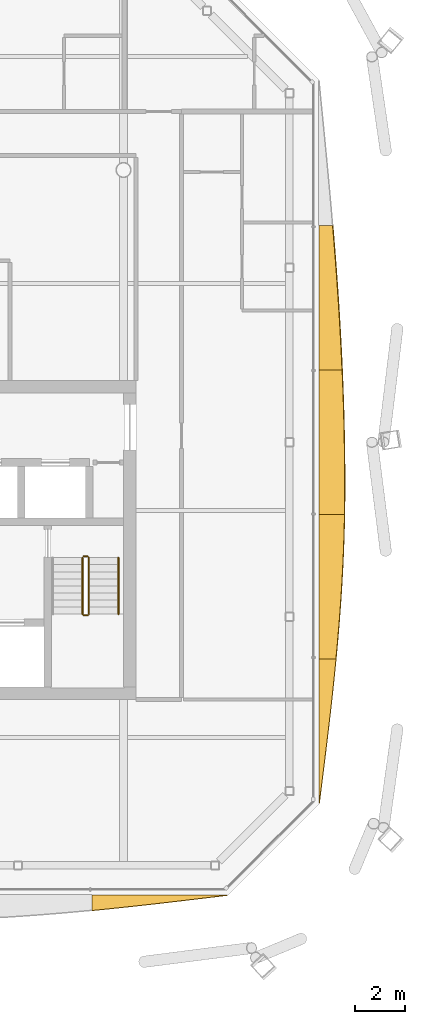
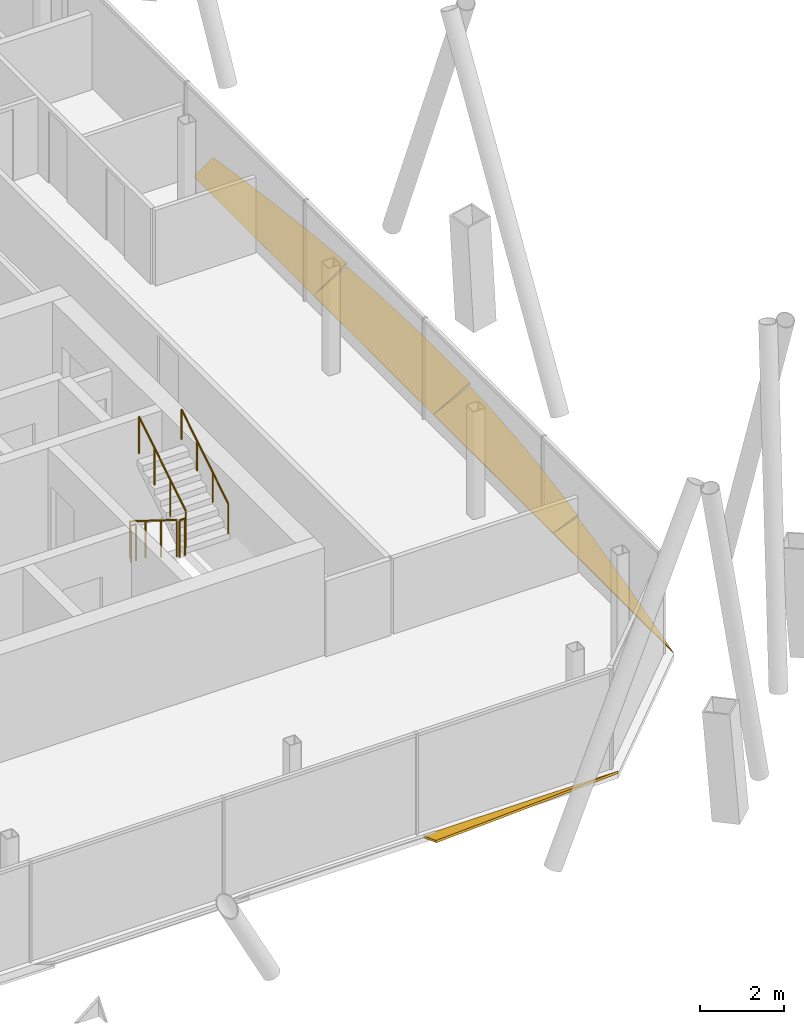
# One storey, part 19 of 20: 5 railings, 5 shading devices.
"""IFC4 building model written with IfcOpenShell, lengths in metres."""

from ifc_helpers import new_model, si_unit, direction, frame, origin, origin_2d, place, context, subcontext, project, spatial, polyline, circle, outline, extrude, material, layer, layer_set, type_object, element, save


model = new_model("IFC4")

# Units and contexts
model_context = context("Model", 3, precision=1e-05, world=origin(), true_north=direction((0.0, 1.0)))
body_context = subcontext(model_context, "Body", "Model", "MODEL_VIEW")
ifc_project = project(units=[si_unit("LENGTHUNIT", "METRE"), si_unit("AREAUNIT", "SQUARE_METRE"), si_unit("VOLUMEUNIT", "CUBIC_METRE"), si_unit("PLANEANGLEUNIT", "RADIAN"), si_unit("MASSUNIT", "GRAM", prefix="KILO")], contexts=[model_context])

# Site, building, storey
site_placement = place(None, origin())
site = spatial("IfcSite", under=ifc_project, at=site_placement, CompositionType="ELEMENT")
building_placement = place(site_placement, origin())
building = spatial("IfcBuilding", under=site, at=building_placement, Name="Tskaro Facet Tower", CompositionType="ELEMENT")
storey_placement = place(building_placement, frame((0.0, 0.0, 200.550048828125)))
storey = spatial("IfcBuildingStorey", under=building, at=storey_placement, Name="L51", CompositionType="ELEMENT", Elevation=200.550048828125)

# Shading devices
ifc_material_1 = material(Name="Bronze anodised aluminium 6063-T6", Category="aluminium")
ifc_layer = layer(ifc_material_1, 0.06005859375, Name="Bronze anodised aluminium 6063-T6")
ifc_layer_set = layer_set([ifc_layer], Name="Bronze anodised aluminium 6063-T6")
shading_device_type = type_object("IfcShadingDeviceType", Name="Bronze sun blade (FN1)", PredefinedType="USERDEFINED", material=ifc_layer_set)
shading_device_1_placement = place(storey_placement, frame((7.75341796875, -19.762451171875, 0.056396484375), z_axis=(6.175963e-06, 0.341941196969, 0.939721351134), x_axis=(0.999999999981, -2.111816e-06, -5.803684e-06)))
element("IfcShadingDevice", 1, at=shading_device_1_placement, inside=storey, type_object=shading_device_type, Name="Fin blade south 6", ObjectType="FIN", PredefinedType="USERDEFINED", context=body_context, shape_type="SweptSolid", body=[
    extrude(outline(polyline([(0.0, 0.0), (5.376464843647464, 0.0), (4.70458984338615, -0.08627011069738855), (4.0324707034011755, -0.1722273154992381), (3.36035156315655, -0.25664101187802535), (2.6882324217509392, -0.33982410572928945), (2.016113281372768, -0.4206084552084171), (1.3439941400895405, -0.49884811789495537), (0.6721191403289226, -0.5739172819978262), (-1.9023678262600406e-10, -0.6453570992010375), (0.0, 0.0)])), origin(), (0.0, 0.0, -1.0), 0.06005859375),
])
shading_device_2_placement = place(storey_placement, frame((16.762451171875, -16.1298828125, 0.056396484375), z_axis=(-0.341832420336, -1.4109499e-05, 0.939760925027), x_axis=(-4.823084e-06, 0.9999999999, 1.3259556e-05)))
element("IfcShadingDevice", 2, at=shading_device_2_placement, inside=storey, type_object=shading_device_type, Name="Fin blade east 1", ObjectType="FIN", PredefinedType="USERDEFINED", context=body_context, shape_type="SweptSolid", body=[
    extrude(outline(polyline([(0.0, 0.0), (5.734374999429207, -4.8572045569113785e-21), (5.7343750005381375, -0.7089958882036616), (5.0175781251223235, -0.6333843975373075), (4.300781250596352, -0.5526000442134811), (3.58398437342769, -0.4673311296910109), (2.8671875009729058, -0.3782868871513797), (2.1503906241072475, -0.2865310305118805), (1.4335937493051085, -0.19223047013402236), (0.7167968739161307, -0.09661583029660752), (0.0, 0.0)])), origin(), (0.0, 0.0, -1.0), 0.06005859375),
])
shading_device_3_placement = place(storey_placement, frame((16.757568359375, -10.3955078125, 0.054443359375), z_axis=(-0.422499746334, -4.944532e-06, 0.906363042231), x_axis=(-2.089063e-06, 0.999999999988, 4.481541e-06)))
element("IfcShadingDevice", 3, at=shading_device_3_placement, inside=storey, type_object=shading_device_type, Name="Fin blade east 2", ObjectType="FIN", PredefinedType="USERDEFINED", context=body_context, shape_type="SweptSolid", body=[
    extrude(outline(polyline([(0.0, 0.0), (5.7346191405549, 1.2143528380161292e-21), (5.734619140705405, -1.1111363675442192), (5.01782226589387, -1.092567265542853), (4.301025390407151, -1.0650455326002188), (3.5842285154134483, -1.0292200274998038), (2.867431640402735, -0.985312030281218), (2.1506347653750137, -0.9333215409444614), (1.43383789098846, -0.8741186983126312), (0.7170410156389219, -0.8078216330732039), (-1.3039516218631387e-10, -0.7350792040096665), (0.0, 0.0)])), origin(), (0.0, 0.0, -1.0), 0.06005859375),
])
shading_device_4_placement = place(storey_placement, frame((16.7529296875, -4.660888671875, 0.052001953125), z_axis=(-0.49992179843, 7.192554e-06, 0.866070548744), x_axis=(3.595715e-06, 0.999999999974, -6.229259e-06)))
element("IfcShadingDevice", 4, at=shading_device_4_placement, inside=storey, type_object=shading_device_type, Name="Fin blade east 3", ObjectType="FIN", PredefinedType="USERDEFINED", context=body_context, shape_type="SweptSolid", body=[
    extrude(outline(polyline([(0.0, 0.0), (5.734619140476666, 2.4287056760322584e-21), (5.734619141234332, -1.0584534784780137), (5.017822265547057, -1.0914917930531747), (4.301025390787268, -1.1193815701135217), (3.5842285151992477, -1.1416999236489143), (2.8674316403038107, -1.1583248024390298), (2.150634765223096, -1.169044763478798), (1.4338378901920095, -1.1744047439986822), (1.1469726560593347, -1.1749496812291453), (0.7167968756365627, -1.173192818317433), (1.1140375239837607e-10, -1.1628063515030578), (0.0, 0.0)])), origin(), (0.0, 0.0, -1.0), 0.06005859375),
])
shading_device_5_placement = place(storey_placement, frame((16.74853515625, 1.07373046875, 0.049072265625), z_axis=(-0.573601319242, -1.6893242e-05, 0.819134620364), x_axis=(-9.689986e-06, 0.999999999857, 1.383784e-05)))
element("IfcShadingDevice", 5, at=shading_device_5_placement, inside=storey, type_object=shading_device_type, Name="Fin blade east 4", ObjectType="FIN", PredefinedType="USERDEFINED", context=body_context, shape_type="SweptSolid", body=[
    extrude(outline(polyline([(0.0, 0.0), (5.734619139806723, 0.0), (5.73461914162943, -0.6608457769813199), (5.01782226517367, -0.7329085702240059), (4.301025390079511, -0.8014512399314483), (3.5842285143216333, -0.8657937392580393), (2.867431641278415, -0.9260761075883793), (2.1506347665588192, -0.9818182821150643), (1.4338378891501855, -1.03268023941529), (0.7167968741716471, -1.0786020348354541), (-1.517904082291418e-09, -1.119103605568152), (0.0, 0.0)])), origin(), (0.0, 0.0, -1.0), 0.06005859375),
])

# Railings
ifc_material_2 = material(Name="Stainless steel", Category="steel")
railing_type_1 = type_object("IfcRailingType", Name="RL-GUARD-1100", PredefinedType="GUARDRAIL", material=ifc_material_2)
railing_1_placement = place(storey_placement, frame((7.375, -6.375, 0.175048828125)))
element("IfcRailing", 6, at=railing_1_placement, inside=storey, type_object=railing_type_1, Name="L51 ST-2 stair guard 1", PredefinedType="GUARDRAIL", context=body_context, shape_type="SweptSolid", body=[
    extrude(circle(Radius=0.02392578125, at=origin_2d()), frame((0.0, 0.0, 1.076171875), z_axis=(0.0, -0.848013881152, 0.529974015752), x_axis=(1.0, 0.0, 0.0)), (0.0, 0.0, 1.0), 2.641357421875),
    extrude(circle(Radius=0.02099609375, at=origin_2d()), origin(), (0.0, 0.0, 1.0), 1.052001953125),
    extrude(circle(Radius=0.02099609375, at=origin_2d()), frame((0.0, -0.74658203125, 0.466552734375)), (0.0, 0.0, 1.0), 1.052001953125),
    extrude(circle(Radius=0.02099609375, at=origin_2d()), frame((0.0, -1.493408203125, 0.933349609375)), (0.0, 0.0, 1.0), 1.052001953125),
    extrude(circle(Radius=0.02099609375, at=origin_2d()), frame((0.0, -2.239990234375, 1.39990234375)), (0.0, 0.0, 1.0), 1.052001953125),
])
railing_2_placement = place(storey_placement, frame((7.425048828125, -8.6650390625, 1.574951171875)))
element("IfcRailing", 7, at=railing_2_placement, inside=storey, type_object=railing_type_1, Name="L51 ST-2 stair guard 2", PredefinedType="GUARDRAIL", context=body_context, shape_type="SweptSolid", body=[
    extrude(circle(Radius=0.02392578125, at=origin_2d()), frame((0.0, 0.0, 1.076171875), z_axis=(1.0, 0.0, 0.0), x_axis=(0.0, 1.0, 0.0)), (0.0, 0.0, 1.0), 0.14990234375),
    extrude(circle(Radius=0.02099609375, at=origin_2d()), origin(), (0.0, 0.0, 1.0), 1.052001953125),
    extrude(circle(Radius=0.02099609375, at=origin_2d()), frame((0.14990234375, 0.0, 0.0)), (0.0, 0.0, 1.0), 1.052001953125),
])
railing_3_placement = place(storey_placement, frame((7.625, -8.614990234375, 1.75)))
element("IfcRailing", 8, at=railing_3_placement, inside=storey, type_object=railing_type_1, Name="L51 ST-2 stair guard 3", PredefinedType="GUARDRAIL", context=body_context, shape_type="SweptSolid", body=[
    extrude(circle(Radius=0.02392578125, at=origin_2d()), frame((0.0, 0.0, 1.076171875), z_axis=(0.0, 0.848013881152, 0.529974015752), x_axis=(-1.0, 0.0, 0.0)), (0.0, 0.0, 1.0), 2.641357421875),
    extrude(circle(Radius=0.02099609375, at=origin_2d()), origin(), (0.0, 0.0, 1.0), 1.052001953125),
    extrude(circle(Radius=0.02099609375, at=origin_2d()), frame((0.0, 0.74658203125, 0.466552734375)), (0.0, 0.0, 1.0), 1.052001953125),
    extrude(circle(Radius=0.02099609375, at=origin_2d()), frame((0.0, 1.493408203125, 0.933349609375)), (0.0, 0.0, 1.0), 1.052001953125),
    extrude(circle(Radius=0.02099609375, at=origin_2d()), frame((0.0, 2.239990234375, 1.39990234375)), (0.0, 0.0, 1.0), 1.052001953125),
])
railing_4_placement = place(storey_placement, frame((7.425048828125, -6.324951171875, 0.0)))
element("IfcRailing", 9, at=railing_4_placement, inside=storey, type_object=railing_type_1, Name="L51 ST-2 stair guard 4", PredefinedType="GUARDRAIL", context=body_context, shape_type="SweptSolid", body=[
    extrude(circle(Radius=0.02392578125, at=origin_2d()), frame((0.0, 0.0, 1.076171875), z_axis=(1.0, 0.0, 0.0), x_axis=(0.0, 1.0, 0.0)), (0.0, 0.0, 1.0), 0.14990234375),
    extrude(circle(Radius=0.02099609375, at=origin_2d()), origin(), (0.0, 0.0, 1.0), 1.052001953125),
    extrude(circle(Radius=0.02099609375, at=origin_2d()), frame((0.14990234375, 0.0, 0.0)), (0.0, 0.0, 1.0), 1.052001953125),
])
railing_type_2 = type_object("IfcRailingType", Name="RL-HANDRAIL-900", PredefinedType="HANDRAIL", material=ifc_material_2)
railing_5_placement = place(storey_placement, frame((8.800048828125, -8.614990234375, 1.75)))
element("IfcRailing", 10, at=railing_5_placement, inside=storey, type_object=railing_type_2, Name="L51 ST-2 stair handrail 2", PredefinedType="HANDRAIL", context=body_context, shape_type="SweptSolid", body=[
    extrude(circle(Radius=0.02392578125, at=origin_2d()), frame((0.0, 0.0, 0.8759765625), z_axis=(0.0, 0.848013881152, 0.529974015752), x_axis=(-1.0, 0.0, 0.0)), (0.0, 0.0, 1.0), 2.641357421875),
    extrude(circle(Radius=0.02099609375, at=origin_2d()), origin(), (0.0, 0.0, 1.0), 0.851806640625),
    extrude(circle(Radius=0.02099609375, at=origin_2d()), frame((0.0, 0.74658203125, 0.466552734375)), (0.0, 0.0, 1.0), 0.851806640625),
    extrude(circle(Radius=0.02099609375, at=origin_2d()), frame((0.0, 1.493408203125, 0.933349609375)), (0.0, 0.0, 1.0), 0.851806640625),
    extrude(circle(Radius=0.02099609375, at=origin_2d()), frame((0.0, 2.239990234375, 1.39990234375)), (0.0, 0.0, 1.0), 0.851806640625),
])

save(model, "model.ifc")
